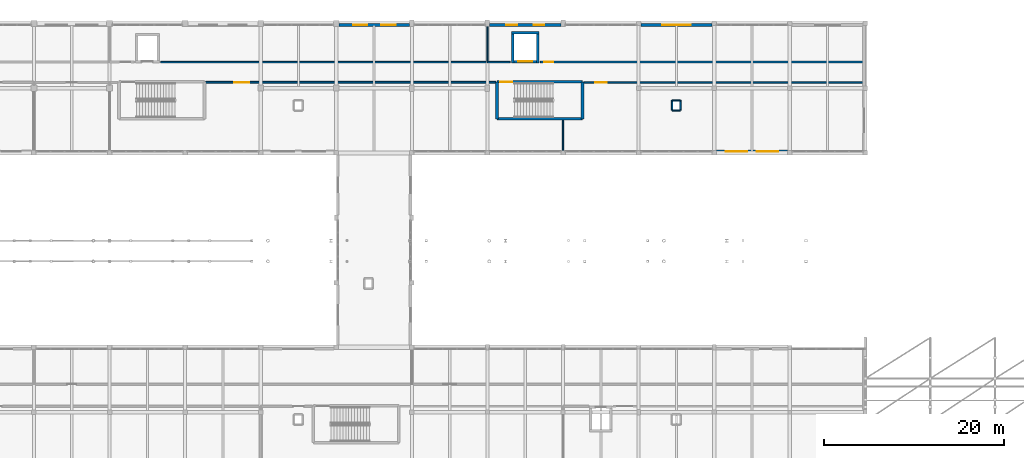
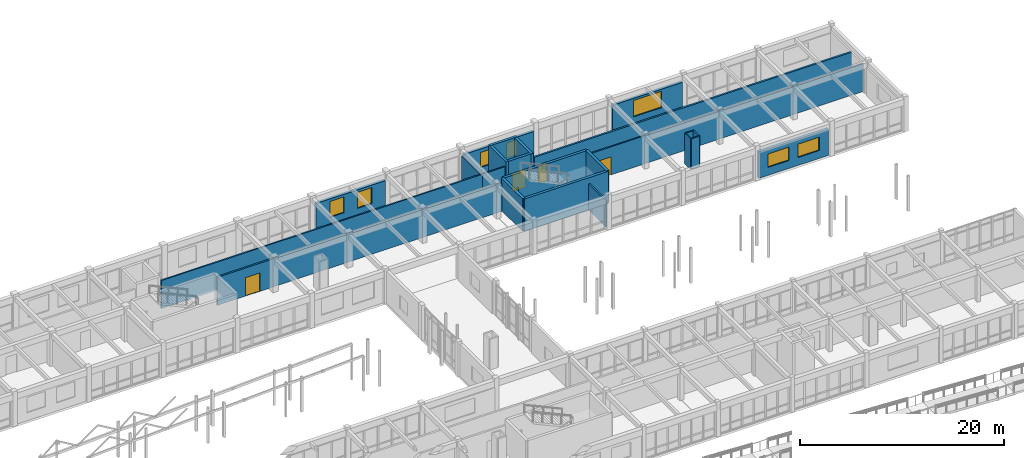
# One storey, part 79 of 89: 23 walls, 7 windows, 5 doors, 12 openings.
"""IFC4 building model written with IfcOpenShell, lengths in metres."""

from ifc_helpers import new_model, si_unit, direction, frame, frame_2d, origin, place, context, subcontext, project, spatial, rectangle, extrude, material, layer, layer_set, type_object, element, fill, save


model = new_model("IFC4")

# Units and contexts
model_context = context("Model", 3, precision=1e-05, world=origin(), true_north=direction((0.0, 1.0)))
body_context = subcontext(model_context, "Body", "Model", "MODEL_VIEW")
ifc_project = project(units=[si_unit("LENGTHUNIT", "METRE"), si_unit("AREAUNIT", "SQUARE_METRE"), si_unit("VOLUMEUNIT", "CUBIC_METRE"), si_unit("PLANEANGLEUNIT", "RADIAN"), si_unit("MASSUNIT", "GRAM", prefix="KILO")], contexts=[model_context])

# Site, building, storey
site_placement = place(None, origin())
site = spatial("IfcSite", under=ifc_project, at=site_placement, CompositionType="ELEMENT")
building_placement = place(site_placement, origin())
building = spatial("IfcBuilding", under=site, at=building_placement, Name="Malvenik Polytechnic", CompositionType="ELEMENT")
storey_placement = place(building_placement, frame((0.0, 0.0, 13.5)))
storey = spatial("IfcBuildingStorey", under=building, at=storey_placement, Name="L03", CompositionType="ELEMENT", Elevation=13.5)

# Wall, opening, door
ifc_material_1 = material(Name="Concrete C35/45", Category="concrete")
ifc_layer_1 = layer(ifc_material_1, 0.280029296875)
ifc_layer_set_1 = layer_set([ifc_layer_1], Name="Concrete C35/45")
wall_type_1 = type_object("IfcWallType", Name="ARC-CW-S280", PredefinedType="SHEAR", material=ifc_layer_set_1)
wall_1_placement = place(storey_placement, frame((98.139892578125, 125.35009765625, 0.0), z_axis=(0.0, 0.0, 1.0), x_axis=(-1.0, 0.0, 0.0)))
wall_1 = element("IfcWall", 1, at=wall_1_placement, inside=storey, type_object=wall_type_1, Name="Lift Shaft Shear Wall LG-01 L03 -Y", PredefinedType="SHEAR", context=body_context, shape_type="SweptSolid", body=[
    extrude(rectangle(XDim=3.079833984375, YDim=0.280029296875, at=frame_2d((1.5400390625, 0.0))), origin(), (0.0, 0.0, 1.0), 3.8798828125),
])
opening_1_placement = place(wall_1_placement, frame((0.739990234375, 0.0, 0.0)))
opening_1 = element("IfcOpeningElement", 2, at=opening_1_placement, cuts=wall_1, Name="Opening LD-03", PredefinedType="OPENING", context=body_context, shape_type="SweptSolid", body=[
    extrude(rectangle(XDim=1.60009765625, YDim=2.199951171875, at=frame_2d((0.800048828125, 1.10009765625))), frame((0.0, 0.14990234375, 0.0), z_axis=(0.0, -1.0, 0.0), x_axis=(1.0, 0.0, 0.0)), (0.0, 0.0, 1.0), 0.300048828125),
])
ifc_material_2 = material(Name="Stainless steel fire-rated sliding lift landing door", Category="steel")
door_type_1 = type_object("IfcDoorType", Name="ARC-LDR-LD-03", OperationType="NOTDEFINED", PredefinedType="DOOR", material=ifc_material_2)
door_1_placement = place(opening_1_placement, origin())
door_1 = element("IfcDoor", 3, at=door_1_placement, inside=storey, type_object=door_type_1, Name="Lift Sliding Landing Door LG-01 L03", OperationType="DOUBLE_DOOR_SLIDING", OverallHeight=2.199951171875, OverallWidth=1.60009765625, PredefinedType="DOOR", context=body_context, shape_type="SweptSolid", body=[
    extrude(rectangle(XDim=1.60009765625, YDim=2.199951171875, at=frame_2d((0.800048828125, 1.10009765625))), frame((0.0, 0.02490234375, 0.0), z_axis=(0.0, -1.0, 0.0), x_axis=(1.0, 0.0, 0.0)), (0.0, 0.0, 1.0), 0.050048828125),
])
fill(opening_1, door_1)

# Walls
wall_2_placement = place(storey_placement, frame((95.06005859375, 128.550048828125, 0.0), z_axis=(0.0, 0.0, 1.0), x_axis=(1.0, 0.0, 0.0)))
element("IfcWall", 4, at=wall_2_placement, inside=storey, type_object=wall_type_1, Name="Lift Shaft Shear Wall LG-01 L03 +Y", PredefinedType="SHEAR", context=body_context, shape_type="SweptSolid", body=[
    extrude(rectangle(XDim=3.079833984375, YDim=0.280029296875, at=frame_2d((1.5400390625, 0.0))), origin(), (0.0, 0.0, 1.0), 3.8798828125),
])
for number, where, z_axis, x_axis, name in (
    (5, (95.199951171875, 125.2099609375, 0.0), (0.0, 0.0, 1.0), (0.0, 1.0, 0.0), "Lift Shaft Shear Wall LG-01 L03 -X"),
    (6, (98.0, 128.68994140625, 0.0), (0.0, 0.0, 1.0), (0.0, -1.0, 0.0), "Lift Shaft Shear Wall LG-01 L03 +X"),
):
    element("IfcWall", number, at=place(storey_placement, frame(where, z_axis=z_axis, x_axis=x_axis)), inside=storey, type_object=wall_type_1, Name=name, PredefinedType="SHEAR", context=body_context, shape_type="SweptSolid", body=[
        extrude(rectangle(XDim=3.47998046875, YDim=0.280029296875, at=frame_2d((1.739990234375, 0.0))), origin(), (0.0, 0.0, 1.0), 3.8798828125),
    ])
ifc_layer_2 = layer(ifc_material_1, 0.300048828125)
ifc_layer_set_2 = layer_set([ifc_layer_2], Name="Concrete C35/45")
wall_type_2 = type_object("IfcWallType", Name="ARC-CW-S300", PredefinedType="SHEAR", material=ifc_layer_set_2)
wall_3_placement = place(storey_placement, frame((93.449951171875, 119.0, 0.0), z_axis=(0.0, 0.0, 1.0), x_axis=(0.0, 1.0, 0.0)))
element("IfcWall", 7, at=wall_3_placement, inside=storey, type_object=wall_type_2, Name="Stair Core Shear Wall ST-03 L03 NEAR", PredefinedType="SHEAR", context=body_context, shape_type="SweptSolid", body=[
    extrude(rectangle(XDim=4.10009765625, YDim=0.300048828125, at=frame_2d((2.050048828125, 0.0))), origin(), (0.0, 0.0, 1.0), 3.8798828125),
])

# Wall, opening, door
wall_4_placement = place(storey_placement, frame((93.449951171875, 123.10009765625, 0.0), z_axis=(0.0, 0.0, 1.0), x_axis=(1.0, 0.0, 0.0)))
wall_4 = element("IfcWall", 8, at=wall_4_placement, inside=storey, type_object=wall_type_2, Name="Stair Core Shear Wall ST-03 L03 RGHT", PredefinedType="SHEAR", context=body_context, shape_type="SweptSolid", body=[
    extrude(rectangle(XDim=9.5, YDim=0.300048828125, at=frame_2d((4.75, 0.0))), origin(), (0.0, 0.0, 1.0), 3.8798828125),
])
opening_2_placement = place(wall_4_placement, frame((0.35009765625, 0.0, 0.0)))
opening_2 = element("IfcOpeningElement", 9, at=opening_2_placement, cuts=wall_4, Name="Opening SD-01", PredefinedType="OPENING", context=body_context, shape_type="SweptSolid", body=[
    extrude(rectangle(XDim=1.35009765625, YDim=2.199951171875, at=frame_2d((0.675048828125, 1.10009765625))), frame((0.0, 0.16015625, 0.0), z_axis=(0.0, -1.0, 0.0), x_axis=(1.0, 0.0, 0.0)), (0.0, 0.0, 1.0), 0.320068359375),
])
ifc_material_3 = material(Name="Fire-rated steel stair enclosure door", Category="steel")
door_type_2 = type_object("IfcDoorType", Name="ARC-IDR-SD-01", OperationType="NOTDEFINED", PredefinedType="DOOR", material=ifc_material_3)
door_2_placement = place(opening_2_placement, origin())
door_2 = element("IfcDoor", 10, at=door_2_placement, inside=storey, type_object=door_type_2, Name="Fire Stair Door ST-03 L03", OperationType="SINGLE_SWING_RIGHT", OverallHeight=2.199951171875, OverallWidth=1.35009765625, PredefinedType="DOOR", context=body_context, shape_type="SweptSolid", body=[
    extrude(rectangle(XDim=1.35009765625, YDim=2.199951171875, at=frame_2d((0.675048828125, 1.10009765625))), frame((0.0, 0.02490234375, 0.0), z_axis=(0.0, -1.0, 0.0), x_axis=(1.0, 0.0, 0.0)), (0.0, 0.0, 1.0), 0.050048828125),
])
fill(opening_2, door_2)

# Walls
wall_5_placement = place(storey_placement, frame((102.949951171875, 123.10009765625, 0.0), z_axis=(0.0, 0.0, 1.0), x_axis=(0.0, -1.0, 0.0)))
element("IfcWall", 11, at=wall_5_placement, inside=storey, type_object=wall_type_2, Name="Stair Core Shear Wall ST-03 L03 FAR", PredefinedType="SHEAR", context=body_context, shape_type="SweptSolid", body=[
    extrude(rectangle(XDim=4.10009765625, YDim=0.300048828125, at=frame_2d((2.050048828125, 0.0))), origin(), (0.0, 0.0, 1.0), 3.8798828125),
])
wall_6_placement = place(storey_placement, frame((102.949951171875, 119.0, 0.0), z_axis=(0.0, 0.0, 1.0), x_axis=(-1.0, 0.0, 0.0)))
element("IfcWall", 12, at=wall_6_placement, inside=storey, type_object=wall_type_2, Name="Stair Core Shear Wall ST-03 L03 LEFT", PredefinedType="SHEAR", context=body_context, shape_type="SweptSolid", body=[
    extrude(rectangle(XDim=9.5, YDim=0.300048828125, at=frame_2d((4.75, 0.0))), origin(), (0.0, 0.0, 1.0), 3.8798828125),
])

# Wall, openings, windows
ifc_material_4 = material(Name="Brick masonry M15", Category="masonry")
ifc_layer_3 = layer(ifc_material_4, 0.31005859375)
ifc_layer_set_3 = layer_set([ifc_layer_3], Name="Brick masonry M15")
wall_type_3 = type_object("IfcWallType", Name="ARC-EW-310", PredefinedType="SOLIDWALL", material=ifc_layer_set_3)
wall_7_placement = place(storey_placement, frame((75.923095703125, 129.429931640625, 0.0), z_axis=(0.0, 0.0, 1.0), x_axis=(1.0, 0.0, 0.0)))
wall_7 = element("IfcWall", 13, at=wall_7_placement, inside=storey, type_object=wall_type_3, Name="External Facade Wall EW-03 L03 #392", PredefinedType="SOLIDWALL", context=body_context, shape_type="SweptSolid", body=[
    extrude(rectangle(XDim=7.828857421875, YDim=0.31005859375, at=frame_2d((3.91455078125, 0.0))), origin(), (0.0, 0.0, 1.0), 3.159912109375),
])
opening_3_placement = place(wall_7_placement, frame((1.54296875, 0.0, 0.949951171875)))
opening_3 = element("IfcOpeningElement", 14, at=opening_3_placement, cuts=wall_7, Name="Opening W-05", PredefinedType="OPENING", context=body_context, shape_type="SweptSolid", body=[
    extrude(rectangle(XDim=1.60009765625, YDim=1.89990234375, at=frame_2d((0.800048828125, 0.949951171875))), frame((0.0, 0.1650390625, 0.0), z_axis=(0.0, -1.0, 0.0), x_axis=(1.0, 0.0, 0.0)), (0.0, 0.0, 1.0), 0.330078125),
])
opening_4_placement = place(wall_7_placement, frame((4.68603515625, 0.0, 0.949951171875)))
opening_4 = element("IfcOpeningElement", 15, at=opening_4_placement, cuts=wall_7, Name="Opening W-05", PredefinedType="OPENING", context=body_context, shape_type="SweptSolid", body=[
    extrude(rectangle(XDim=1.60009765625, YDim=1.89990234375, at=frame_2d((0.800048828125, 0.949951171875))), frame((0.0, 0.1650390625, 0.0), z_axis=(0.0, -1.0, 0.0), x_axis=(1.0, 0.0, 0.0)), (0.0, 0.0, 1.0), 0.330078125),
])
ifc_material_5 = material(Name="Thermally broken aluminium frame with low-E double glazing", Category="aluminium")
window_type_1 = type_object("IfcWindowType", Name="ARC-WIN-W-05", PartitioningType="SINGLE_PANEL", PredefinedType="WINDOW", material=ifc_material_5)
window_1_placement = place(opening_3_placement, origin())
window_1 = element("IfcWindow", 16, at=window_1_placement, inside=storey, type_object=window_type_1, Name="Punched Window W-05 L03 #400", OverallHeight=1.89990234375, OverallWidth=1.60009765625, PartitioningType="SINGLE_PANEL", PredefinedType="WINDOW", context=body_context, shape_type="SweptSolid", body=[
    extrude(rectangle(XDim=1.60009765625, YDim=1.89990234375, at=frame_2d((0.800048828125, 0.949951171875))), frame((0.0, 0.030029296875, 0.0), z_axis=(0.0, -1.0, 0.0), x_axis=(1.0, 0.0, 0.0)), (0.0, 0.0, 1.0), 0.06005859375),
])
fill(opening_3, window_1)
window_2_placement = place(opening_4_placement, origin())
window_2 = element("IfcWindow", 17, at=window_2_placement, inside=storey, type_object=window_type_1, Name="Punched Window W-05 L03 #401", OverallHeight=1.89990234375, OverallWidth=1.60009765625, PartitioningType="SINGLE_PANEL", PredefinedType="WINDOW", context=body_context, shape_type="SweptSolid", body=[
    extrude(rectangle(XDim=1.60009765625, YDim=1.89990234375, at=frame_2d((0.800048828125, 0.949951171875))), frame((0.0, 0.030029296875, 0.0), z_axis=(0.0, -1.0, 0.0), x_axis=(1.0, 0.0, 0.0)), (0.0, 0.0, 1.0), 0.06005859375),
])
fill(opening_4, window_2)

wall_8_placement = place(storey_placement, frame((92.64794921875, 129.429931640625, 0.0), z_axis=(0.0, 0.0, 1.0), x_axis=(1.0, 0.0, 0.0)))
wall_8 = element("IfcWall", 18, at=wall_8_placement, inside=storey, type_object=wall_type_3, Name="External Facade Wall EW-03 L03 #393", PredefinedType="SOLIDWALL", context=body_context, shape_type="SweptSolid", body=[
    extrude(rectangle(XDim=7.904052734375, YDim=0.31005859375, at=frame_2d((3.9521484375, 0.0))), origin(), (0.0, 0.0, 1.0), 3.159912109375),
])
opening_5_placement = place(wall_8_placement, frame((1.834716796875, 0.0, 0.949951171875)))
opening_5 = element("IfcOpeningElement", 19, at=opening_5_placement, cuts=wall_8, Name="Opening W-07", PredefinedType="OPENING", context=body_context, shape_type="SweptSolid", body=[
    extrude(rectangle(XDim=1.199951171875, YDim=1.800048828125, at=frame_2d((0.60009765625, 0.89990234375))), frame((0.0, 0.1650390625, 0.0), z_axis=(0.0, -1.0, 0.0), x_axis=(1.0, 0.0, 0.0)), (0.0, 0.0, 1.0), 0.330078125),
])
opening_6_placement = place(wall_8_placement, frame((4.869384765625, 0.0, 0.949951171875)))
opening_6 = element("IfcOpeningElement", 20, at=opening_6_placement, cuts=wall_8, Name="Opening W-07", PredefinedType="OPENING", context=body_context, shape_type="SweptSolid", body=[
    extrude(rectangle(XDim=1.199951171875, YDim=1.800048828125, at=frame_2d((0.60009765625, 0.89990234375))), frame((0.0, 0.1650390625, 0.0), z_axis=(0.0, -1.0, 0.0), x_axis=(1.0, 0.0, 0.0)), (0.0, 0.0, 1.0), 0.330078125),
])
window_type_2 = type_object("IfcWindowType", Name="ARC-WIN-W-07", PartitioningType="SINGLE_PANEL", PredefinedType="WINDOW", material=ifc_material_5)
window_3_placement = place(opening_5_placement, origin())
window_3 = element("IfcWindow", 21, at=window_3_placement, inside=storey, type_object=window_type_2, Name="Punched Window W-07 L03 #402", OverallHeight=1.800048828125, OverallWidth=1.199951171875, PartitioningType="SINGLE_PANEL", PredefinedType="WINDOW", context=body_context, shape_type="SweptSolid", body=[
    extrude(rectangle(XDim=1.199951171875, YDim=1.800048828125, at=frame_2d((0.60009765625, 0.89990234375))), frame((0.0, 0.030029296875, 0.0), z_axis=(0.0, -1.0, 0.0), x_axis=(1.0, 0.0, 0.0)), (0.0, 0.0, 1.0), 0.06005859375),
])
fill(opening_5, window_3)
window_4_placement = place(opening_6_placement, origin())
window_4 = element("IfcWindow", 22, at=window_4_placement, inside=storey, type_object=window_type_2, Name="Punched Window W-07 L03 #403", OverallHeight=1.800048828125, OverallWidth=1.199951171875, PartitioningType="SINGLE_PANEL", PredefinedType="WINDOW", context=body_context, shape_type="SweptSolid", body=[
    extrude(rectangle(XDim=1.199951171875, YDim=1.800048828125, at=frame_2d((0.60009765625, 0.89990234375))), frame((0.0, 0.030029296875, 0.0), z_axis=(0.0, -1.0, 0.0), x_axis=(1.0, 0.0, 0.0)), (0.0, 0.0, 1.0), 0.06005859375),
])
fill(opening_6, window_4)

# Wall, opening, window
wall_9_placement = place(storey_placement, frame((109.447998046875, 129.429931640625, 0.0), z_axis=(0.0, 0.0, 1.0), x_axis=(1.0, 0.0, 0.0)))
wall_9 = element("IfcWall", 23, at=wall_9_placement, inside=storey, type_object=wall_type_3, Name="External Facade Wall EW-03 L03 #394", PredefinedType="SOLIDWALL", context=body_context, shape_type="SweptSolid", body=[
    extrude(rectangle(XDim=7.904052734375, YDim=0.31005859375, at=frame_2d((3.9521484375, 0.0))), origin(), (0.0, 0.0, 1.0), 3.159912109375),
])
opening_7_placement = place(wall_9_placement, frame((2.35205078125, 0.0, 0.949951171875)))
opening_7 = element("IfcOpeningElement", 24, at=opening_7_placement, cuts=wall_9, Name="Opening W-09", PredefinedType="OPENING", context=body_context, shape_type="SweptSolid", body=[
    extrude(rectangle(XDim=3.199951171875, YDim=1.9599609375, at=frame_2d((1.60009765625, 0.97998046875))), frame((0.0, 0.1650390625, 0.0), z_axis=(0.0, -1.0, 0.0), x_axis=(1.0, 0.0, 0.0)), (0.0, 0.0, 1.0), 0.330078125),
])
window_type_3 = type_object("IfcWindowType", Name="ARC-WIN-W-09", PartitioningType="SINGLE_PANEL", PredefinedType="WINDOW", material=ifc_material_5)
window_5_placement = place(opening_7_placement, origin())
window_5 = element("IfcWindow", 25, at=window_5_placement, inside=storey, type_object=window_type_3, Name="Punched Window W-09 L03 #404", OverallHeight=1.9599609375, OverallWidth=3.199951171875, PartitioningType="SINGLE_PANEL", PredefinedType="WINDOW", context=body_context, shape_type="SweptSolid", body=[
    extrude(rectangle(XDim=3.199951171875, YDim=1.9599609375, at=frame_2d((1.60009765625, 0.97998046875))), frame((0.0, 0.030029296875, 0.0), z_axis=(0.0, -1.0, 0.0), x_axis=(1.0, 0.0, 0.0)), (0.0, 0.0, 1.0), 0.06005859375),
])
fill(opening_7, window_5)

# Wall, openings, windows
wall_10_placement = place(storey_placement, frame((125.751953125, 115.3701171875, 0.0), z_axis=(0.0, 0.0, 1.0), x_axis=(-1.0, 0.0, 0.0)))
wall_10 = element("IfcWall", 26, at=wall_10_placement, inside=storey, type_object=wall_type_3, Name="External Facade Wall EW-03 L03 #398", PredefinedType="SOLIDWALL", context=body_context, shape_type="SweptSolid", body=[
    extrude(rectangle(XDim=7.904052734375, YDim=0.31005859375, at=frame_2d((3.9521484375, 0.0))), origin(), (0.0, 0.0, 1.0), 3.159912109375),
])
opening_8_placement = place(wall_10_placement, frame((1.03466796875, 0.0, 0.949951171875)))
opening_8 = element("IfcOpeningElement", 27, at=opening_8_placement, cuts=wall_10, Name="Opening W-12", PredefinedType="OPENING", context=body_context, shape_type="SweptSolid", body=[
    extrude(rectangle(XDim=2.39990234375, YDim=1.60009765625, at=frame_2d((1.199951171875, 0.800048828125))), frame((0.0, 0.1650390625, 0.0), z_axis=(0.0, -1.0, 0.0), x_axis=(1.0, 0.0, 0.0)), (0.0, 0.0, 1.0), 0.330078125),
])
opening_9_placement = place(wall_10_placement, frame((4.469482421875, 0.0, 0.949951171875)))
opening_9 = element("IfcOpeningElement", 28, at=opening_9_placement, cuts=wall_10, Name="Opening W-12", PredefinedType="OPENING", context=body_context, shape_type="SweptSolid", body=[
    extrude(rectangle(XDim=2.39990234375, YDim=1.60009765625, at=frame_2d((1.199951171875, 0.800048828125))), frame((0.0, 0.1650390625, 0.0), z_axis=(0.0, -1.0, 0.0), x_axis=(1.0, 0.0, 0.0)), (0.0, 0.0, 1.0), 0.330078125),
])
window_type_4 = type_object("IfcWindowType", Name="ARC-WIN-W-12", PartitioningType="SINGLE_PANEL", PredefinedType="WINDOW", material=ifc_material_5)
window_6_placement = place(opening_8_placement, origin())
window_6 = element("IfcWindow", 29, at=window_6_placement, inside=storey, type_object=window_type_4, Name="Punched Window W-12 L03 #407", OverallHeight=1.60009765625, OverallWidth=2.39990234375, PartitioningType="SINGLE_PANEL", PredefinedType="WINDOW", context=body_context, shape_type="SweptSolid", body=[
    extrude(rectangle(XDim=2.39990234375, YDim=1.60009765625, at=frame_2d((1.199951171875, 0.800048828125))), frame((0.0, 0.030029296875, 0.0), z_axis=(0.0, -1.0, 0.0), x_axis=(1.0, 0.0, 0.0)), (0.0, 0.0, 1.0), 0.06005859375),
])
fill(opening_8, window_6)
window_7_placement = place(opening_9_placement, origin())
window_7 = element("IfcWindow", 30, at=window_7_placement, inside=storey, type_object=window_type_4, Name="Punched Window W-12 L03 #408", OverallHeight=1.60009765625, OverallWidth=2.39990234375, PartitioningType="SINGLE_PANEL", PredefinedType="WINDOW", context=body_context, shape_type="SweptSolid", body=[
    extrude(rectangle(XDim=2.39990234375, YDim=1.60009765625, at=frame_2d((1.199951171875, 0.800048828125))), frame((0.0, 0.030029296875, 0.0), z_axis=(0.0, -1.0, 0.0), x_axis=(1.0, 0.0, 0.0)), (0.0, 0.0, 1.0), 0.06005859375),
])
fill(opening_9, window_7)

# Wall, opening, door
ifc_material_6 = material(Name="Calcium silicate fire-rated blockwork 200mm", Category="masonry")
ifc_layer_4 = layer(ifc_material_6, 0.199951171875)
ifc_layer_set_4 = layer_set([ifc_layer_4], Name="Calcium silicate fire-rated blockwork 200mm")
wall_type_4 = type_object("IfcWallType", Name="ARC-FW-200", PredefinedType="SOLIDWALL", material=ifc_layer_set_4)
wall_11_placement = place(storey_placement, frame((98.27001953125, 125.300048828125, 0.0), z_axis=(0.0, 0.0, 1.0), x_axis=(1.0, 0.0, 0.0)))
wall_11 = element("IfcWall", 31, at=wall_11_placement, inside=storey, type_object=wall_type_4, Name="Interior Partition FW-02 L03 #308", PredefinedType="SOLIDWALL", context=body_context, shape_type="SweptSolid", body=[
    extrude(rectangle(XDim=35.909912109375, YDim=0.199951171875, at=frame_2d((17.955078125, 0.0))), origin(), (0.0, 0.0, 1.0), 3.35498046875),
])
opening_10_placement = place(wall_11_placement, frame((0.449951171875, 0.0, 0.0)))
opening_10 = element("IfcOpeningElement", 32, at=opening_10_placement, cuts=wall_11, Name="Opening FD-07", PredefinedType="OPENING", context=body_context, shape_type="SweptSolid", body=[
    extrude(rectangle(XDim=1.0, YDim=2.10009765625, at=frame_2d((0.5, 1.050048828125))), frame((0.0, 0.10986328125, 0.0), z_axis=(0.0, -1.0, 0.0), x_axis=(1.0, 0.0, 0.0)), (0.0, 0.0, 1.0), 0.219970703125),
])
ifc_material_7 = material(Name="Fire-rated washroom corridor door", Category="steel")
door_type_3 = type_object("IfcDoorType", Name="ARC-IDR-FD-07", OperationType="NOTDEFINED", PredefinedType="DOOR", material=ifc_material_7)
door_3_placement = place(opening_10_placement, origin())
door_3 = element("IfcDoor", 33, at=door_3_placement, inside=storey, type_object=door_type_3, Name="Interior Door FD-07 L03 #132", OperationType="SINGLE_SWING_RIGHT", OverallHeight=2.10009765625, OverallWidth=1.0, PredefinedType="DOOR", context=body_context, shape_type="SweptSolid", body=[
    extrude(rectangle(XDim=1.0, YDim=2.10009765625, at=frame_2d((0.5, 1.050048828125))), frame((0.0, 0.02490234375, 0.0), z_axis=(0.0, -1.0, 0.0), x_axis=(1.0, 0.0, 0.0)), (0.0, 0.0, 1.0), 0.050048828125),
])
fill(opening_10, door_3)

wall_12_placement = place(storey_placement, frame((93.31005859375, 123.050048828125, 0.0), z_axis=(0.0, 0.0, 1.0), x_axis=(-1.0, 0.0, 0.0)))
wall_12 = element("IfcWall", 34, at=wall_12_placement, inside=storey, type_object=wall_type_4, Name="Interior Partition FW-02 L03 #322", PredefinedType="SOLIDWALL", context=body_context, shape_type="SweptSolid", body=[
    extrude(rectangle(XDim=32.219970703125, YDim=0.199951171875, at=frame_2d((16.10986328125, 0.0))), origin(), (0.0, 0.0, 1.0), 3.35498046875),
])
opening_11_placement = place(wall_12_placement, frame((27.385009765625, 0.0, 0.0)))
opening_11 = element("IfcOpeningElement", 35, at=opening_11_placement, cuts=wall_12, Name="Opening FD-03", PredefinedType="OPENING", context=body_context, shape_type="SweptSolid", body=[
    extrude(rectangle(XDim=1.64990234375, YDim=2.199951171875, at=frame_2d((0.824951171875, 1.10009765625))), frame((0.0, 0.10986328125, 0.0), z_axis=(0.0, -1.0, 0.0), x_axis=(1.0, 0.0, 0.0)), (0.0, 0.0, 1.0), 0.219970703125),
])
ifc_material_8 = material(Name="Fire-rated double-leaf laboratory door", Category="steel")
door_type_4 = type_object("IfcDoorType", Name="ARC-IDR-FD-03", OperationType="NOTDEFINED", PredefinedType="DOOR", material=ifc_material_8)
door_4_placement = place(opening_11_placement, origin())
door_4 = element("IfcDoor", 36, at=door_4_placement, inside=storey, type_object=door_type_4, Name="Interior Door FD-03 L03 #137", OperationType="DOUBLE_DOOR_SINGLE_SWING", OverallHeight=2.199951171875, OverallWidth=1.64990234375, PredefinedType="DOOR", context=body_context, shape_type="SweptSolid", body=[
    extrude(rectangle(XDim=1.64990234375, YDim=2.199951171875, at=frame_2d((0.824951171875, 1.10009765625))), frame((0.0, 0.02490234375, 0.0), z_axis=(0.0, -1.0, 0.0), x_axis=(1.0, 0.0, 0.0)), (0.0, 0.0, 1.0), 0.050048828125),
])
fill(opening_11, door_4)

# Walls
ifc_material_9 = material(Name="Acoustic metal-stud gypsum partition 140mm", Category="gypsum")
ifc_layer_5 = layer(ifc_material_9, 0.139892578125)
ifc_layer_set_5 = layer_set([ifc_layer_5], Name="Acoustic metal-stud gypsum partition 140mm")
wall_type_5 = type_object("IfcWallType", Name="ARC-PW-140", PredefinedType="PARTITIONING", material=ifc_layer_set_5)
wall_13_placement = place(storey_placement, frame((92.39990234375, 125.300048828125, 0.0), z_axis=(0.0, 0.0, 1.0), x_axis=(0.0, 1.0, 0.0)))
element("IfcWall", 37, at=wall_13_placement, inside=storey, type_object=wall_type_5, Name="Interior Partition PW-02I L03 #306", PredefinedType="PARTITIONING", context=body_context, shape_type="SweptSolid", body=[
    extrude(rectangle(XDim=3.905029296875, YDim=0.139892578125, at=frame_2d((1.95263671875, 0.0))), origin(), (0.0, 0.0, 1.0), 3.155029296875),
])
wall_14_placement = place(storey_placement, frame((100.800048828125, 115.469970703125, 0.0), z_axis=(0.0, 0.0, 1.0), x_axis=(0.0, 1.0, 0.0)))
element("IfcWall", 38, at=wall_14_placement, inside=storey, type_object=wall_type_5, Name="Interior Partition PW-02I L03 #324", PredefinedType="PARTITIONING", context=body_context, shape_type="SweptSolid", body=[
    extrude(rectangle(XDim=3.39013671875, YDim=0.139892578125, at=frame_2d((1.695068359375, 0.0))), origin(), (0.0, 0.0, 1.0), 3.155029296875),
])
ifc_material_10 = material(Name="Double-stud acoustic gypsum board partition 160mm", Category="gypsum")
ifc_layer_6 = layer(ifc_material_10, 0.159912109375)
ifc_layer_set_6 = layer_set([ifc_layer_6], Name="Double-stud acoustic gypsum board partition 160mm")
wall_type_6 = type_object("IfcWallType", Name="ARC-PW-160", PredefinedType="PARTITIONING", material=ifc_layer_set_6)
for number, where, z_axis, x_axis, name in (
    (39, (112.919921875, 119.919921875, 0.0), (0.0, 0.0, 1.0), (1.0, 0.0, 0.0), "Riser Shaft Enclosure L03 #40S"),
    (40, (113.830078125, 121.030029296875, 0.0), (0.0, 0.0, 1.0), (-1.0, 0.0, 0.0), "Riser Shaft Enclosure L03 #40N"),
):
    element("IfcWall", number, at=place(storey_placement, frame(where, z_axis=z_axis, x_axis=x_axis)), inside=storey, type_object=wall_type_6, Name=name, PredefinedType="PARTITIONING", context=body_context, shape_type="SweptSolid", body=[
        extrude(rectangle(XDim=0.91015625, YDim=0.159912109375, at=frame_2d((0.455078125, 0.0))), origin(), (0.0, 0.0, 1.0), 3.64990234375),
    ])
for number, where, z_axis, x_axis, name in (
    (41, (112.919921875, 121.030029296875, 0.0), (0.0, 0.0, 1.0), (0.0, -1.0, 0.0), "Riser Shaft Enclosure L03 #40W"),
    (42, (113.830078125, 119.919921875, 0.0), (0.0, 0.0, 1.0), (0.0, 1.0, 0.0), "Riser Shaft Enclosure L03 #40E"),
):
    element("IfcWall", number, at=place(storey_placement, frame(where, z_axis=z_axis, x_axis=x_axis)), inside=storey, type_object=wall_type_6, Name=name, PredefinedType="PARTITIONING", context=body_context, shape_type="SweptSolid", body=[
        extrude(rectangle(XDim=1.110107421875, YDim=0.159912109375, at=frame_2d((0.55517578125, 0.0))), origin(), (0.0, 0.0, 1.0), 3.64990234375),
    ])
wall_15_placement = place(storey_placement, frame((56.070068359375, 125.300048828125, 0.0), z_axis=(0.0, 0.0, 1.0), x_axis=(1.0, 0.0, 0.0)))
element("IfcWall", 43, at=wall_15_placement, inside=storey, type_object=wall_type_6, Name="Interior Partition PW-01I L03 #305", PredefinedType="PARTITIONING", context=body_context, shape_type="SweptSolid", body=[
    extrude(rectangle(XDim=36.329833984375, YDim=0.159912109375, at=frame_2d((18.1650390625, 0.0))), origin(), (0.0, 0.0, 1.0), 3.35498046875),
])
wall_16_placement = place(storey_placement, frame((92.39990234375, 125.300048828125, 0.0), z_axis=(0.0, 0.0, 1.0), x_axis=(1.0, 0.0, 0.0)))
element("IfcWall", 44, at=wall_16_placement, inside=storey, type_object=wall_type_6, Name="Interior Partition PW-01I L03 #307", PredefinedType="PARTITIONING", context=body_context, shape_type="SweptSolid", body=[
    extrude(rectangle(XDim=2.530029296875, YDim=0.159912109375, at=frame_2d((1.26513671875, 0.0))), origin(), (0.0, 0.0, 1.0), 3.35498046875),
])

# Wall, opening, door
wall_17_placement = place(storey_placement, frame((134.179931640625, 123.050048828125, 0.0), z_axis=(0.0, 0.0, 1.0), x_axis=(-1.0, 0.0, 0.0)))
wall_17 = element("IfcWall", 45, at=wall_17_placement, inside=storey, type_object=wall_type_6, Name="Interior Partition PW-01I L03 #325", PredefinedType="PARTITIONING", context=body_context, shape_type="SweptSolid", body=[
    extrude(rectangle(XDim=31.08984375, YDim=0.159912109375, at=frame_2d((15.544921875, 0.0))), origin(), (0.0, 0.0, 1.0), 3.35498046875),
])
opening_12_placement = place(wall_17_placement, frame((28.530029296875, 0.0, 0.0)))
opening_12 = element("IfcOpeningElement", 46, at=opening_12_placement, cuts=wall_17, Name="Opening FD-04", PredefinedType="OPENING", context=body_context, shape_type="SweptSolid", body=[
    extrude(rectangle(XDim=1.300048828125, YDim=2.14990234375, at=frame_2d((0.64990234375, 1.074951171875))), frame((0.0, 0.08984375, 0.0), z_axis=(0.0, -1.0, 0.0), x_axis=(1.0, 0.0, 0.0)), (0.0, 0.0, 1.0), 0.179931640625),
])
ifc_material_11 = material(Name="Fire-rated plant room steel door", Category="steel")
door_type_5 = type_object("IfcDoorType", Name="ARC-IDR-FD-04", OperationType="NOTDEFINED", PredefinedType="DOOR", material=ifc_material_11)
door_5_placement = place(opening_12_placement, origin())
door_5 = element("IfcDoor", 47, at=door_5_placement, inside=storey, type_object=door_type_5, Name="Interior Door FD-04 L03 #138", OperationType="SINGLE_SWING_RIGHT", OverallHeight=2.14990234375, OverallWidth=1.300048828125, PredefinedType="DOOR", context=body_context, shape_type="SweptSolid", body=[
    extrude(rectangle(XDim=1.300048828125, YDim=2.14990234375, at=frame_2d((0.64990234375, 1.074951171875))), frame((0.0, 0.02490234375, 0.0), z_axis=(0.0, -1.0, 0.0), x_axis=(1.0, 0.0, 0.0)), (0.0, 0.0, 1.0), 0.050048828125),
])
fill(opening_12, door_5)

save(model, "model.ifc")
